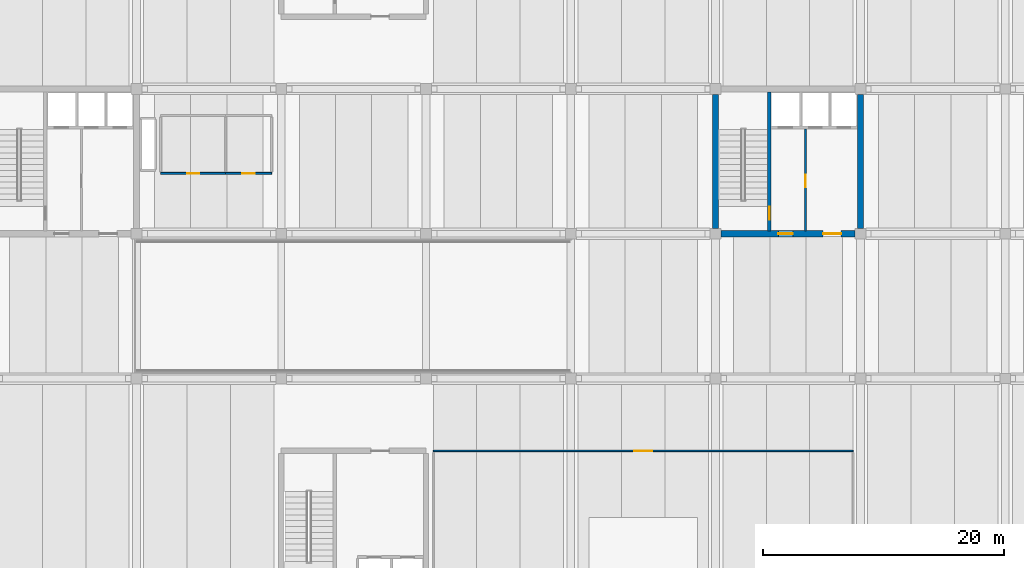
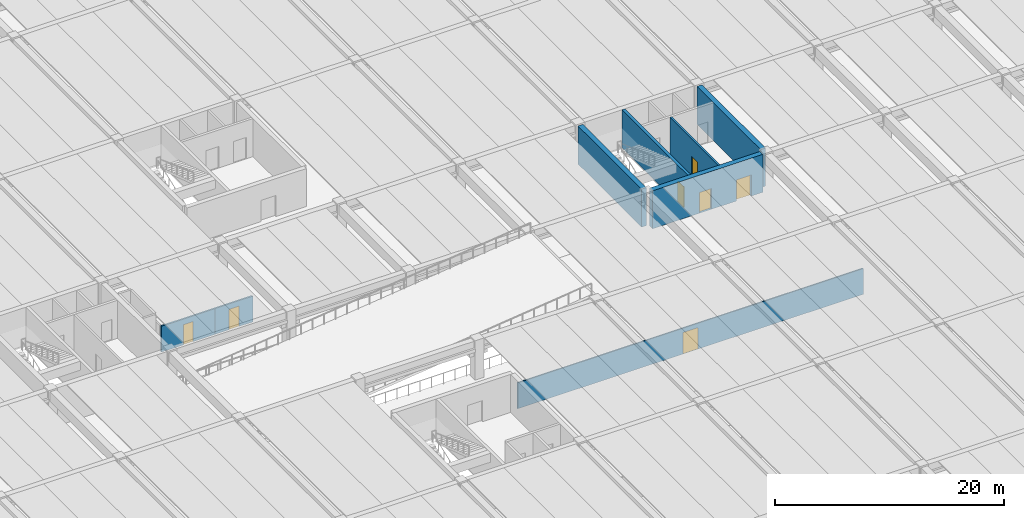
# One storey, part 36 of 50: 8 walls, 7 doors, 7 openings.
"""IFC4 building model written with IfcOpenShell, lengths in metres."""

from ifc_helpers import new_model, si_unit, direction, frame, frame_2d, origin, place, context, subcontext, project, spatial, rectangle, extrude, material, layer, layer_set, type_object, element, fill, save


model = new_model("IFC4")

# Units and contexts
model_context = context("Model", 3, precision=1e-05, world=origin(), true_north=direction((0.0, 1.0)))
body_context = subcontext(model_context, "Body", "Model", "MODEL_VIEW")
ifc_project = project(units=[si_unit("LENGTHUNIT", "METRE"), si_unit("AREAUNIT", "SQUARE_METRE"), si_unit("VOLUMEUNIT", "CUBIC_METRE"), si_unit("PLANEANGLEUNIT", "RADIAN"), si_unit("MASSUNIT", "GRAM", prefix="KILO")], contexts=[model_context])

# Site, building, storey
site_placement = place(None, origin())
site = spatial("IfcSite", under=ifc_project, at=site_placement, CompositionType="ELEMENT")
building_placement = place(site_placement, origin())
building = spatial("IfcBuilding", under=site, at=building_placement, Name="Girod Span Mobility Hub", CompositionType="ELEMENT")
storey_placement = place(building_placement, frame((0.0, 0.0, 5.39990234375)))
storey = spatial("IfcBuildingStorey", under=building, at=storey_placement, Name="L01", CompositionType="ELEMENT", Elevation=5.39990234375)

# Wall, openings, doors
ifc_material_1 = material(Name="Concrete C40/50", Category="concrete")
ifc_layer_1 = layer(ifc_material_1, 0.5)
ifc_layer_set_1 = layer_set([ifc_layer_1], Name="Concrete C40/50")
wall_type_1 = type_object("IfcWallType", Name="W-CW-500", PredefinedType="SHEAR", material=ifc_layer_set_1)
wall_1_placement = place(storey_placement, frame((108.447021484375, 57.0, 0.0), z_axis=(0.0, 0.0, 1.0), x_axis=(1.0, 0.0, 0.0)))
wall_1 = element("IfcWall", 1, at=wall_1_placement, inside=storey, type_object=wall_type_1, Name="Core C2 Shear Wall S L01", PredefinedType="SHEAR", context=body_context, shape_type="SweptSolid", body=[
    extrude(rectangle(XDim=11.10595703125, YDim=0.5, at=frame_2d((5.552978515625, 0.0))), origin(), (0.0, 0.0, 1.0), 4.043212890625),
])
opening_1_placement = place(wall_1_placement, frame((4.7529296875, 0.0, 0.0)))
opening_1 = element("IfcOpeningElement", 2, at=opening_1_placement, cuts=wall_1, Name="Opening D-FL-C2-L01", PredefinedType="OPENING", context=body_context, shape_type="SweptSolid", body=[
    extrude(rectangle(XDim=1.199951171875, YDim=2.199951171875, at=frame_2d((0.60009765625, 1.10009765625))), frame((0.0, 0.264892578125, 0.0), z_axis=(0.0, -1.0, 0.0), x_axis=(1.0, 0.0, 0.0)), (0.0, 0.0, 1.0), 0.530029296875),
])
opening_2_placement = place(wall_1_placement, frame((8.452880859375, 0.0, 0.0)))
opening_2 = element("IfcOpeningElement", 3, at=opening_2_placement, cuts=wall_1, Name="Opening D-LB-C2-L01", PredefinedType="OPENING", context=body_context, shape_type="SweptSolid", body=[
    extrude(rectangle(XDim=1.5, YDim=2.25, at=frame_2d((0.75, 1.125))), frame((0.0, 0.264892578125, 0.0), z_axis=(0.0, -1.0, 0.0), x_axis=(1.0, 0.0, 0.0)), (0.0, 0.0, 1.0), 0.530029296875),
])
ifc_material_2 = material(Name="Fire-Rated Insulated Hollow Metal Steel", Category="steel")
door_type_1 = type_object("IfcDoorType", Name="DT-FD-03", OperationType="DOUBLE_DOOR_SINGLE_SWING", PredefinedType="DOOR", material=ifc_material_2)
door_1_placement = place(opening_2_placement, origin())
door_1 = element("IfcDoor", 4, at=door_1_placement, inside=storey, type_object=door_type_1, Name="Lift Lobby Entry Door C2 L01", OperationType="DOUBLE_DOOR_SINGLE_SWING", OverallHeight=2.25, OverallWidth=1.5, PredefinedType="DOOR", context=body_context, shape_type="SweptSolid", body=[
    extrude(rectangle(XDim=1.5, YDim=2.25, at=frame_2d((0.75, 1.125))), frame((0.0, 0.02490234375, 0.0), z_axis=(0.0, -1.0, 0.0), x_axis=(1.0, 0.0, 0.0)), (0.0, 0.0, 1.0), 0.050048828125),
])
fill(opening_2, door_1)
ifc_material_3 = material(Name="Fire-Rated Insulated Hollow Metal Steel", Category="steel")
door_type_2 = type_object("IfcDoorType", Name="DT-FD-05", OperationType="NOTDEFINED", PredefinedType="DOOR", material=ifc_material_3)
door_2_placement = place(opening_1_placement, origin())
door_2 = element("IfcDoor", 5, at=door_2_placement, inside=storey, type_object=door_type_2, Name="Firefighting Lobby Entry Door C2 L01", OperationType="SINGLE_SWING_RIGHT", OverallHeight=2.199951171875, OverallWidth=1.199951171875, PredefinedType="DOOR", context=body_context, shape_type="SweptSolid", body=[
    extrude(rectangle(XDim=1.199951171875, YDim=2.199951171875, at=frame_2d((0.60009765625, 1.10009765625))), frame((0.0, 0.02490234375, 0.0), z_axis=(0.0, -1.0, 0.0), x_axis=(1.0, 0.0, 0.0)), (0.0, 0.0, 1.0), 0.050048828125),
])
fill(opening_1, door_2)

# Walls
for number, where, z_axis, x_axis, name in (
    (6, (108.0, 57.447021484375, 0.0), (0.0, 0.0, 1.0), (0.0, 1.0, 0.0), "Core C2 Shear Wall W L01"),
    (7, (120.0, 57.447021484375, 0.0), (0.0, 0.0, 1.0), (0.0, 1.0, 0.0), "Core C2 Shear Wall E L01"),
):
    element("IfcWall", number, at=place(storey_placement, frame(where, z_axis=z_axis, x_axis=x_axis)), inside=storey, type_object=wall_type_1, Name=name, PredefinedType="SHEAR", context=body_context, shape_type="SweptSolid", body=[
        extrude(rectangle(XDim=11.10595703125, YDim=0.5, at=frame_2d((5.552978515625, 0.0))), origin(), (0.0, 0.0, 1.0), 4.043212890625),
    ])

# Wall, opening, door
ifc_material_4 = material(Name="Concrete C40/50", Category="concrete")
ifc_layer_2 = layer(ifc_material_4, 0.18994140625)
ifc_layer_set_2 = layer_set([ifc_layer_2], Name="Concrete C40/50")
wall_type_2 = type_object("IfcWallType", Name="W-FL-190", PredefinedType="SOLIDWALL", material=ifc_layer_set_2)
wall_2_placement = place(storey_placement, frame((115.449951171875, 57.25, 0.0), z_axis=(0.0, 0.0, 1.0), x_axis=(0.0, 1.0, 0.0)))
wall_2 = element("IfcWall", 8, at=wall_2_placement, inside=storey, type_object=wall_type_2, Name="Core C2 Firefighting Lobby Wall L01", PredefinedType="SOLIDWALL", context=body_context, shape_type="SweptSolid", body=[
    extrude(rectangle(XDim=8.429931640625, YDim=0.18994140625, at=frame_2d((4.21484375, 0.0))), origin(), (0.0, 0.0, 1.0), 4.033203125),
])
opening_3_placement = place(wall_2_placement, frame((3.60009765625, 0.0, 0.0)))
opening_3 = element("IfcOpeningElement", 9, at=opening_3_placement, cuts=wall_2, Name="Opening D-FLX-C2-L01", PredefinedType="OPENING", context=body_context, shape_type="SweptSolid", body=[
    extrude(rectangle(XDim=1.0400390625, YDim=2.179931640625, at=frame_2d((0.52001953125, 1.08984375))), frame((0.0, 0.10986328125, 0.0), z_axis=(0.0, -1.0, 0.0), x_axis=(1.0, 0.0, 0.0)), (0.0, 0.0, 1.0), 0.219970703125),
])
ifc_material_5 = material(Name="Fire-Rated Insulated Hollow Metal Steel", Category="steel")
door_type_3 = type_object("IfcDoorType", Name="DT-FD-02", OperationType="NOTDEFINED", PredefinedType="DOOR", material=ifc_material_5)
door_3_placement = place(opening_3_placement, origin())
door_3 = element("IfcDoor", 10, at=door_3_placement, inside=storey, type_object=door_type_3, Name="Firefighting Lobby Interconnect Door C2 L01", OperationType="SINGLE_SWING_RIGHT", OverallHeight=2.179931640625, OverallWidth=1.0400390625, PredefinedType="DOOR", context=body_context, shape_type="SweptSolid", body=[
    extrude(rectangle(XDim=1.0400390625, YDim=2.179931640625, at=frame_2d((0.52001953125, 1.08984375))), frame((0.0, 0.02490234375, 0.0), z_axis=(0.0, -1.0, 0.0), x_axis=(1.0, 0.0, 0.0)), (0.0, 0.0, 1.0), 0.050048828125),
])
fill(opening_3, door_3)

ifc_material_6 = material(Name="Fire-Rated Gypsum Board on Metal Studs", Category="gypsum")
ifc_layer_3 = layer(ifc_material_6, 0.155029296875)
ifc_layer_set_3 = layer_set([ifc_layer_3], Name="Fire-Rated Gypsum Board on Metal Studs")
wall_type_3 = type_object("IfcWallType", Name="W-PLB-155", PredefinedType="PLUMBINGWALL", material=ifc_layer_set_3)
wall_3_placement = place(storey_placement, frame((62.0, 62.0, 0.0), z_axis=(0.0, 0.0, 1.0), x_axis=(1.0, 0.0, 0.0)))
wall_3 = element("IfcWall", 11, at=wall_3_placement, inside=storey, type_object=wall_type_3, Name="Restroom L01 Partition S", PredefinedType="PLUMBINGWALL", context=body_context, shape_type="SweptSolid", body=[
    extrude(rectangle(XDim=5.39990234375, YDim=0.155029296875, at=frame_2d((2.699951171875, 0.0))), origin(), (0.0, 0.0, 1.0), 2.75),
])
opening_4_placement = place(wall_3_placement, frame((2.205078125, 0.0, 0.0)))
opening_4 = element("IfcOpeningElement", 12, at=opening_4_placement, cuts=wall_3, Name="Opening D-L01-WC-MAIN", PredefinedType="OPENING", context=body_context, shape_type="SweptSolid", body=[
    extrude(rectangle(XDim=0.989990234375, YDim=2.14990234375, at=frame_2d((0.4951171875, 1.074951171875))), frame((0.0, 0.092529296875, 0.0), z_axis=(0.0, -1.0, 0.0), x_axis=(1.0, 0.0, 0.0)), (0.0, 0.0, 1.0), 0.18505859375),
])
ifc_material_7 = material(Name="Solid-Core Architectural Timber", Category="wood")
door_type_4 = type_object("IfcDoorType", Name="DT-NR-03", OperationType="NOTDEFINED", PredefinedType="DOOR", material=ifc_material_7)
door_4_placement = place(opening_4_placement, origin())
door_4 = element("IfcDoor", 13, at=door_4_placement, inside=storey, type_object=door_type_4, Name="Restroom L01 Door", OperationType="SINGLE_SWING_LEFT", OverallHeight=2.14990234375, OverallWidth=0.989990234375, PredefinedType="DOOR", context=body_context, shape_type="SweptSolid", body=[
    extrude(rectangle(XDim=0.989990234375, YDim=2.14990234375, at=frame_2d((0.4951171875, 1.074951171875))), frame((0.0, 0.02490234375, 0.0), z_axis=(0.0, -1.0, 0.0), x_axis=(1.0, 0.0, 0.0)), (0.0, 0.0, 1.0), 0.050048828125),
])
fill(opening_4, door_4)

wall_4_placement = place(storey_placement, frame((67.39990234375, 62.0, 0.0), z_axis=(0.0, 0.0, 1.0), x_axis=(1.0, 0.0, 0.0)))
wall_4 = element("IfcWall", 14, at=wall_4_placement, inside=storey, type_object=wall_type_3, Name="Accessible WC L01 Partition S", PredefinedType="PLUMBINGWALL", context=body_context, shape_type="SweptSolid", body=[
    extrude(rectangle(XDim=3.800048828125, YDim=0.155029296875, at=frame_2d((1.89990234375, 0.0))), origin(), (0.0, 0.0, 1.0), 2.75),
])
opening_5_placement = place(wall_4_placement, frame((1.385009765625, 0.0, 0.0)))
opening_5 = element("IfcOpeningElement", 15, at=opening_5_placement, cuts=wall_4, Name="Opening D-L01-WC-ACC", PredefinedType="OPENING", context=body_context, shape_type="SweptSolid", body=[
    extrude(rectangle(XDim=1.030029296875, YDim=2.169921875, at=frame_2d((0.51513671875, 1.0849609375))), frame((0.0, 0.092529296875, 0.0), z_axis=(0.0, -1.0, 0.0), x_axis=(1.0, 0.0, 0.0)), (0.0, 0.0, 1.0), 0.18505859375),
])
ifc_material_8 = material(Name="Solid-Core Architectural Timber", Category="wood")
door_type_5 = type_object("IfcDoorType", Name="DT-NR-04", OperationType="NOTDEFINED", PredefinedType="DOOR", material=ifc_material_8)
door_5_placement = place(opening_5_placement, origin())
door_5 = element("IfcDoor", 16, at=door_5_placement, inside=storey, type_object=door_type_5, Name="Accessible WC L01 Door", OperationType="SINGLE_SWING_RIGHT", OverallHeight=2.169921875, OverallWidth=1.030029296875, PredefinedType="DOOR", context=body_context, shape_type="SweptSolid", body=[
    extrude(rectangle(XDim=1.030029296875, YDim=2.169921875, at=frame_2d((0.51513671875, 1.0849609375))), frame((0.0, 0.02490234375, 0.0), z_axis=(0.0, -1.0, 0.0), x_axis=(1.0, 0.0, 0.0)), (0.0, 0.0, 1.0), 0.050048828125),
])
fill(opening_5, door_5)

ifc_material_9 = material(Name="Fire-Rated Gypsum Board on Metal Studs", Category="gypsum")
ifc_layer_4 = layer(ifc_material_9, 0.125)
ifc_layer_set_4 = layer_set([ifc_layer_4], Name="Fire-Rated Gypsum Board on Metal Studs")
wall_type_4 = type_object("IfcWallType", Name="W-PT-125", PredefinedType="PARTITIONING", material=ifc_layer_set_4)
wall_5_placement = place(storey_placement, frame((84.60009765625, 39.0, 0.0), z_axis=(0.0, 0.0, 1.0), x_axis=(1.0, 0.0, 0.0)))
wall_5 = element("IfcWall", 17, at=wall_5_placement, inside=storey, type_object=wall_type_4, Name="Transit Concourse Overlook Lounge Partition N", PredefinedType="PARTITIONING", context=body_context, shape_type="SweptSolid", body=[
    extrude(rectangle(XDim=34.7998046875, YDim=0.125, at=frame_2d((17.39990234375, 0.0))), origin(), (0.0, 0.0, 1.0), 2.75),
])
opening_6_placement = place(wall_5_placement, frame((16.655029296875, 0.0, 0.0)))
opening_6 = element("IfcOpeningElement", 18, at=opening_6_placement, cuts=wall_5, Name="Opening D-L01-WAIT-GL", PredefinedType="OPENING", context=body_context, shape_type="SweptSolid", body=[
    extrude(rectangle(XDim=1.489990234375, YDim=2.280029296875, at=frame_2d((0.7451171875, 1.14013671875))), frame((0.0, 0.077392578125, 0.0), z_axis=(0.0, -1.0, 0.0), x_axis=(1.0, 0.0, 0.0)), (0.0, 0.0, 1.0), 0.155029296875),
])
ifc_material_10 = material(Name="Solid-Core Architectural Timber", Category="wood")
door_type_6 = type_object("IfcDoorType", Name="DT-NR-13", OperationType="DOUBLE_DOOR_SINGLE_SWING", PredefinedType="DOOR", material=ifc_material_10)
door_6_placement = place(opening_6_placement, origin())
door_6 = element("IfcDoor", 19, at=door_6_placement, inside=storey, type_object=door_type_6, Name="Transit Concourse Overlook Lounge Door", OperationType="DOUBLE_DOOR_SINGLE_SWING", OverallHeight=2.280029296875, OverallWidth=1.489990234375, PredefinedType="DOOR", context=body_context, shape_type="SweptSolid", body=[
    extrude(rectangle(XDim=1.489990234375, YDim=2.280029296875, at=frame_2d((0.7451171875, 1.14013671875))), frame((0.0, 0.02490234375, 0.0), z_axis=(0.0, -1.0, 0.0), x_axis=(1.0, 0.0, 0.0)), (0.0, 0.0, 1.0), 0.050048828125),
])
fill(opening_6, door_6)

ifc_material_11 = material(Name="Concrete C40/50", Category="concrete")
ifc_layer_5 = layer(ifc_material_11, 0.300048828125)
ifc_layer_set_5 = layer_set([ifc_layer_5], Name="Concrete C40/50")
wall_type_5 = type_object("IfcWallType", Name="W-SH-300", PredefinedType="SHEAR", material=ifc_layer_set_5)
wall_6_placement = place(storey_placement, frame((112.449951171875, 57.2470703125, 0.0), z_axis=(0.0, 0.0, 1.0), x_axis=(0.0, 1.0, 0.0)))
wall_6 = element("IfcWall", 20, at=wall_6_placement, inside=storey, type_object=wall_type_5, Name="Core C2 Stairwell Spine Wall L01", PredefinedType="SHEAR", context=body_context, shape_type="SweptSolid", body=[
    extrude(rectangle(XDim=11.505859375, YDim=0.300048828125, at=frame_2d((5.7529296875, 0.0))), origin(), (0.0, 0.0, 1.0), 4.043212890625),
])
opening_7_placement = place(wall_6_placement, frame((0.89990234375, 0.0, 0.0)))
opening_7 = element("IfcOpeningElement", 21, at=opening_7_placement, cuts=wall_6, Name="Opening D-ST-2-L01", PredefinedType="OPENING", context=body_context, shape_type="SweptSolid", body=[
    extrude(rectangle(XDim=1.10009765625, YDim=2.199951171875, at=frame_2d((0.550048828125, 1.10009765625))), frame((0.0, 0.1650390625, 0.0), z_axis=(0.0, -1.0, 0.0), x_axis=(1.0, 0.0, 0.0)), (0.0, 0.0, 1.0), 0.330078125),
])
ifc_material_12 = material(Name="Fire-Rated Insulated Hollow Metal Steel", Category="steel")
door_type_7 = type_object("IfcDoorType", Name="DT-FD-01", OperationType="NOTDEFINED", PredefinedType="DOOR", material=ifc_material_12)
door_7_placement = place(opening_7_placement, origin())
door_7 = element("IfcDoor", 22, at=door_7_placement, inside=storey, type_object=door_type_7, Name="Stair ST-2 Fire Door L01", OperationType="SINGLE_SWING_LEFT", OverallHeight=2.199951171875, OverallWidth=1.10009765625, PredefinedType="DOOR", context=body_context, shape_type="SweptSolid", body=[
    extrude(rectangle(XDim=1.10009765625, YDim=2.199951171875, at=frame_2d((0.550048828125, 1.10009765625))), frame((0.0, 0.02490234375, 0.0), z_axis=(0.0, -1.0, 0.0), x_axis=(1.0, 0.0, 0.0)), (0.0, 0.0, 1.0), 0.050048828125),
])
fill(opening_7, door_7)

save(model, "model.ifc")
